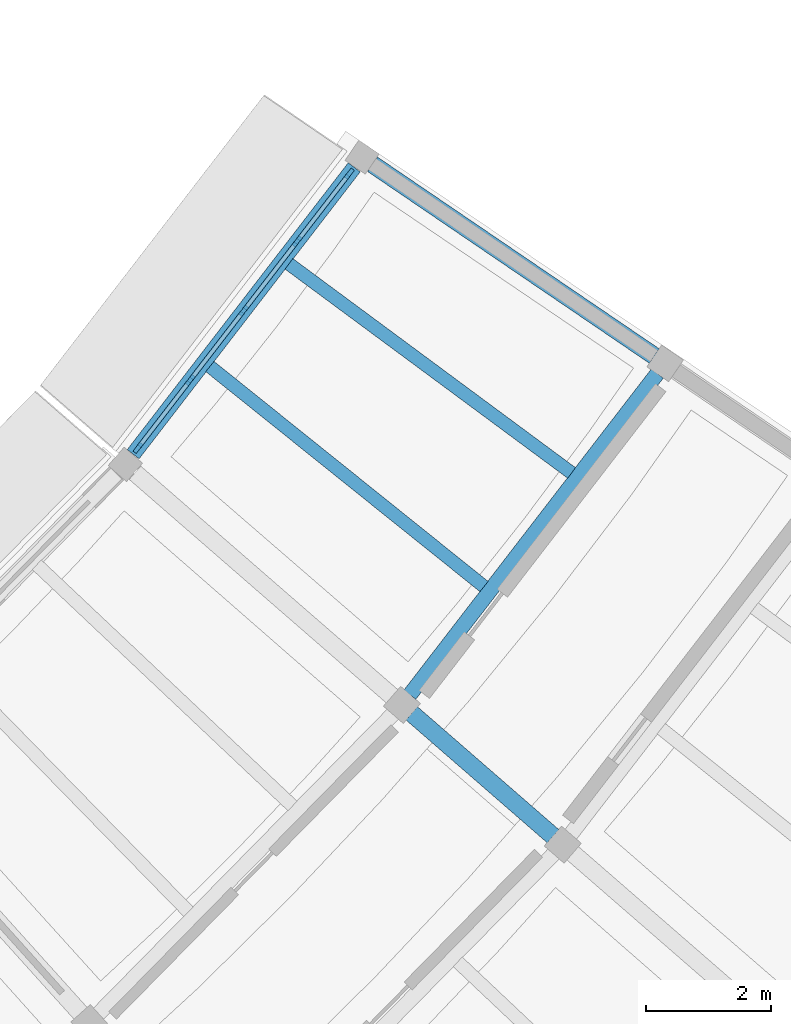
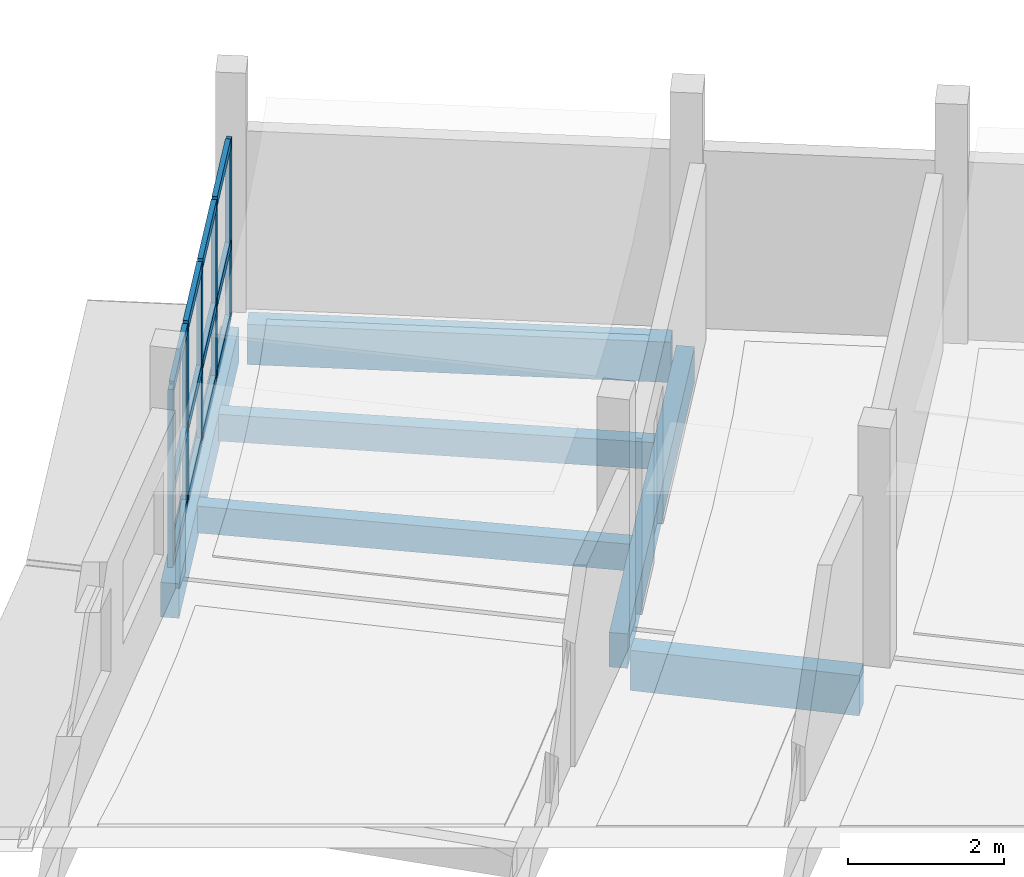
# One storey, part 32 of 77: 17 members, 6 beams, 1 element without a shape of its own.
"""IFC4 building model written with IfcOpenShell, lengths in metres."""

from ifc_helpers import new_model, si_unit, direction, frame, origin, origin_2d, place, context, subcontext, project, spatial, rectangle, extrude, material, layer, layer_set, material_profile, profile_set, type_object, element, aggregate, save


model = new_model("IFC4")

# Units and contexts
model_context = context("Model", 3, precision=1e-05, world=origin(), true_north=direction((0.0, 1.0)))
body_context = subcontext(model_context, "Body", "Model", "MODEL_VIEW")
ifc_project = project(units=[si_unit("LENGTHUNIT", "METRE"), si_unit("AREAUNIT", "SQUARE_METRE"), si_unit("VOLUMEUNIT", "CUBIC_METRE"), si_unit("PLANEANGLEUNIT", "RADIAN"), si_unit("MASSUNIT", "GRAM", prefix="KILO")], contexts=[model_context])

# Site, building, storey
site_placement = place(None, origin())
site = spatial("IfcSite", under=ifc_project, at=site_placement, CompositionType="ELEMENT")
building_placement = place(site_placement, origin())
building = spatial("IfcBuilding", under=site, at=building_placement, Name="Caldaven Crescent School", CompositionType="ELEMENT")
storey_placement = place(building_placement, frame((0.0, 0.0, 4.419921875)))
storey = spatial("IfcBuildingStorey", under=building, at=storey_placement, Name="L01", CompositionType="ELEMENT", Elevation=4.419921875)

# Beams
ifc_material_1 = material(Name="Glulam MLE24h (GL28h)", Category="wood")
ifc_material_profile_1 = material_profile(ifc_material_1, rectangle(XDim=0.239990234375, YDim=0.5400390625, at=origin_2d()), Name="MLE 240x540")
ifc_profile_set_1 = profile_set([ifc_material_profile_1], Name="Glulam MLE24h (GL28h)")
beam_type_1 = type_object("IfcBeamType", Name="BM-GL54", PredefinedType="BEAM", material=ifc_profile_set_1)
beam_1_placement = place(storey_placement, frame((132.124755859375, 57.9140625, -0.489990234375), z_axis=(0.610376182502, 0.792111681415, 0.0), x_axis=(-0.792111681415, 0.610376182502, 0.0)))
element("IfcBeam", 1, at=beam_1_placement, inside=storey, type_object=beam_type_1, Name="BMT-V4E-L01-1127", PredefinedType="BEAM", context=body_context, shape_type="SweptSolid", body=[
    extrude(rectangle(XDim=0.239990234375, YDim=0.5400390625, at=origin_2d()), origin(), (0.0, 0.0, 1.0), 6.4697265625),
])
ifc_material_profile_2 = material_profile(ifc_material_1, rectangle(XDim=0.280029296875, YDim=0.6298828125, at=origin_2d()), Name="MLE 280x630")
ifc_profile_set_2 = profile_set([ifc_material_profile_2], Name="Glulam MLE24h (GL28h)")
beam_type_2 = type_object("IfcBeamType", Name="BM-GL63", PredefinedType="BEAM", material=ifc_profile_set_2)
beam_2_placement = place(storey_placement, frame((132.154296875, 57.6171875, -0.534912109375), z_axis=(0.754742623795, -0.656021014775, 0.0), x_axis=(0.656021014775, 0.754742623795, 0.0)))
element("IfcBeam", 2, at=beam_2_placement, inside=storey, type_object=beam_type_2, Name="BMR-V4E-L01-1087", PredefinedType="BEAM", context=body_context, shape_type="SweptSolid", body=[
    extrude(rectangle(XDim=0.280029296875, YDim=0.6298828125, at=origin_2d()), origin(), (0.0, 0.0, 1.0), 2.989990234375),
])
beam_3_placement = place(storey_placement, frame((131.531982421875, 66.376953125, -0.534912109375), z_axis=(0.826744481423, -0.562577605702, 0.0), x_axis=(0.562577605702, 0.826744481423, 0.0)))
element("IfcBeam", 3, at=beam_3_placement, inside=storey, type_object=beam_type_2, Name="BMR-V4E-L01-1090", PredefinedType="BEAM", context=body_context, shape_type="SweptSolid", body=[
    extrude(rectangle(XDim=0.280029296875, YDim=0.6298828125, at=origin_2d()), origin(), (0.0, 0.0, 1.0), 5.439697265625),
])

# Curtain wall, members
ifc_material_2 = material(Name="Anodised aluminium AA 6063-T6 and low-E double glazing", Category="aluminium")
ifc_layer = layer(ifc_material_2, 0.169921875)
ifc_layer_set = layer_set([ifc_layer], Name="Anodised aluminium AA 6063-T6 and low-E double glazing")
curtain_wall_type = type_object("IfcCurtainWallType", Name="CW-SYS1", PredefinedType="NOTDEFINED", material=ifc_layer_set)
curtain_wall_placement = place(storey_placement, origin())
curtain_wall = element("IfcCurtainWall", 4, at=curtain_wall_placement, inside=storey, type_object=curtain_wall_type, Name="CW-L01-134", PredefinedType="NOTDEFINED")
ifc_material_3 = material(Name="Anodised aluminium AA 6063-T6", Category="aluminium")
ifc_material_profile_3 = material_profile(ifc_material_3, rectangle(XDim=0.06494140625, YDim=0.179931640625, at=origin_2d()), Name="CWM 65x180")
ifc_profile_set_3 = profile_set([ifc_material_profile_3], Name="Anodised aluminium AA 6063-T6")
member_type_1 = type_object("IfcMemberType", Name="CWM-T2", PredefinedType="MULLION", material=ifc_profile_set_3)
member_1_placement = place(storey_placement, frame((127.787353515625, 61.85302734375, 0.0), z_axis=(0.0, 0.0, 1.0), x_axis=(-0.792103400093, 0.610386929383, 0.0)))
member_1 = element("IfcMember", 5, at=member_1_placement, type_object=member_type_1, Name="CW1 mullion 1", PredefinedType="MULLION", context=body_context, shape_type="SweptSolid", body=[
    extrude(rectangle(XDim=0.06494140625, YDim=0.179931640625, at=origin_2d()), origin(), (0.0, 0.0, 1.0), 2.780029296875),
])
member_2_placement = place(storey_placement, frame((128.62060546875, 62.93408203125, 0.0), z_axis=(0.0, 0.0, 1.0), x_axis=(-0.792103400093, 0.610386929383, 0.0)))
member_2 = element("IfcMember", 6, at=member_2_placement, type_object=member_type_1, Name="CW1 mullion 2", PredefinedType="MULLION", context=body_context, shape_type="SweptSolid", body=[
    extrude(rectangle(XDim=0.06494140625, YDim=0.179931640625, at=origin_2d()), origin(), (0.0, 0.0, 1.0), 2.780029296875),
])
member_3_placement = place(storey_placement, frame((129.473388671875, 64.041015625, 0.0), z_axis=(0.0, 0.0, 1.0), x_axis=(-0.792103400093, 0.610386929383, 0.0)))
member_3 = element("IfcMember", 7, at=member_3_placement, type_object=member_type_1, Name="CW1 mullion 3", PredefinedType="MULLION", context=body_context, shape_type="SweptSolid", body=[
    extrude(rectangle(XDim=0.06494140625, YDim=0.179931640625, at=origin_2d()), origin(), (0.0, 0.0, 1.0), 2.780029296875),
])
member_4_placement = place(storey_placement, frame((130.326416015625, 65.14794921875, 0.0), z_axis=(0.0, 0.0, 1.0), x_axis=(-0.792103400093, 0.610386929383, 0.0)))
member_4 = element("IfcMember", 8, at=member_4_placement, type_object=member_type_1, Name="CW1 mullion 4", PredefinedType="MULLION", context=body_context, shape_type="SweptSolid", body=[
    extrude(rectangle(XDim=0.06494140625, YDim=0.179931640625, at=origin_2d()), origin(), (0.0, 0.0, 1.0), 2.780029296875),
])
member_5_placement = place(storey_placement, frame((131.159423828125, 66.22900390625, 0.0), z_axis=(0.0, 0.0, 1.0), x_axis=(-0.792103400093, 0.610386929383, 0.0)))
member_5 = element("IfcMember", 9, at=member_5_placement, type_object=member_type_1, Name="CW1 mullion 5", PredefinedType="MULLION", context=body_context, shape_type="SweptSolid", body=[
    extrude(rectangle(XDim=0.06494140625, YDim=0.179931640625, at=origin_2d()), origin(), (0.0, 0.0, 1.0), 2.780029296875),
])
ifc_material_profile_4 = material_profile(ifc_material_3, rectangle(XDim=0.070068359375, YDim=0.159912109375, at=origin_2d()), Name="CWT 70x160")
ifc_profile_set_4 = profile_set([ifc_material_profile_4], Name="Anodised aluminium AA 6063-T6")
member_type_2 = type_object("IfcMemberType", Name="CWT-T3", PredefinedType="USERDEFINED", material=ifc_profile_set_4)
member_6_placement = place(storey_placement, frame((127.807373046875, 61.87890625, 0.03515625), z_axis=(0.610436674992, 0.792065064136, 0.0), x_axis=(-0.792065064136, 0.610436674992, 0.0)))
member_6 = element("IfcMember", 10, at=member_6_placement, type_object=member_type_2, Name="CW1 transom 1.1", ObjectType="TRANSOM", PredefinedType="USERDEFINED", context=body_context, shape_type="SweptSolid", body=[
    extrude(rectangle(XDim=0.070068359375, YDim=0.159912109375, at=origin_2d()), origin(), (0.0, 0.0, 1.0), 1.2998046875),
])
member_7_placement = place(storey_placement, frame((127.807373046875, 61.87890625, 1.16796875), z_axis=(0.610436674992, 0.792065064136, 0.0), x_axis=(-0.792065064136, 0.610436674992, 0.0)))
member_7 = element("IfcMember", 11, at=member_7_placement, type_object=member_type_2, Name="CW1 transom 1.2", ObjectType="TRANSOM", PredefinedType="USERDEFINED", context=body_context, shape_type="SweptSolid", body=[
    extrude(rectangle(XDim=0.070068359375, YDim=0.159912109375, at=origin_2d()), origin(), (0.0, 0.0, 1.0), 1.2998046875),
])
member_8_placement = place(storey_placement, frame((127.807373046875, 61.87890625, 2.7451171875), z_axis=(0.610436674992, 0.792065064136, 0.0), x_axis=(-0.792065064136, 0.610436674992, 0.0)))
member_8 = element("IfcMember", 12, at=member_8_placement, type_object=member_type_2, Name="CW1 transom 1.3", ObjectType="TRANSOM", PredefinedType="USERDEFINED", context=body_context, shape_type="SweptSolid", body=[
    extrude(rectangle(XDim=0.070068359375, YDim=0.159912109375, at=origin_2d()), origin(), (0.0, 0.0, 1.0), 1.2998046875),
])
member_9_placement = place(storey_placement, frame((128.640380859375, 62.9599609375, 0.03515625), z_axis=(0.610356990638, 0.792126469687, 0.0), x_axis=(-0.792126469687, 0.610356990638, 0.0)))
member_9 = element("IfcMember", 13, at=member_9_placement, type_object=member_type_2, Name="CW1 transom 2.1", ObjectType="TRANSOM", PredefinedType="USERDEFINED", context=body_context, shape_type="SweptSolid", body=[
    extrude(rectangle(XDim=0.070068359375, YDim=0.159912109375, at=origin_2d()), origin(), (0.0, 0.0, 1.0), 1.332275390625),
])
member_10_placement = place(storey_placement, frame((128.640380859375, 62.9599609375, 1.16796875), z_axis=(0.610356990638, 0.792126469687, 0.0), x_axis=(-0.792126469687, 0.610356990638, 0.0)))
member_10 = element("IfcMember", 14, at=member_10_placement, type_object=member_type_2, Name="CW1 transom 2.2", ObjectType="TRANSOM", PredefinedType="USERDEFINED", context=body_context, shape_type="SweptSolid", body=[
    extrude(rectangle(XDim=0.070068359375, YDim=0.159912109375, at=origin_2d()), origin(), (0.0, 0.0, 1.0), 1.332275390625),
])
member_11_placement = place(storey_placement, frame((128.640380859375, 62.9599609375, 2.7451171875), z_axis=(0.610356990638, 0.792126469687, 0.0), x_axis=(-0.792126469687, 0.610356990638, 0.0)))
member_11 = element("IfcMember", 15, at=member_11_placement, type_object=member_type_2, Name="CW1 transom 2.3", ObjectType="TRANSOM", PredefinedType="USERDEFINED", context=body_context, shape_type="SweptSolid", body=[
    extrude(rectangle(XDim=0.070068359375, YDim=0.159912109375, at=origin_2d()), origin(), (0.0, 0.0, 1.0), 1.332275390625),
])
member_12_placement = place(storey_placement, frame((129.493408203125, 64.06689453125, 0.03515625), z_axis=(0.610445590299, 0.792058193117, 0.0), x_axis=(-0.792058193117, 0.610445590299, 0.0)))
member_12 = element("IfcMember", 16, at=member_12_placement, type_object=member_type_2, Name="CW1 transom 3.1", ObjectType="TRANSOM", PredefinedType="USERDEFINED", context=body_context, shape_type="SweptSolid", body=[
    extrude(rectangle(XDim=0.070068359375, YDim=0.159912109375, at=origin_2d()), origin(), (0.0, 0.0, 1.0), 1.332275390625),
])
member_13_placement = place(storey_placement, frame((129.493408203125, 64.06689453125, 1.16796875), z_axis=(0.610445590299, 0.792058193117, 0.0), x_axis=(-0.792058193117, 0.610445590299, 0.0)))
member_13 = element("IfcMember", 17, at=member_13_placement, type_object=member_type_2, Name="CW1 transom 3.2", ObjectType="TRANSOM", PredefinedType="USERDEFINED", context=body_context, shape_type="SweptSolid", body=[
    extrude(rectangle(XDim=0.070068359375, YDim=0.159912109375, at=origin_2d()), origin(), (0.0, 0.0, 1.0), 1.332275390625),
])
member_14_placement = place(storey_placement, frame((129.493408203125, 64.06689453125, 2.7451171875), z_axis=(0.610445590299, 0.792058193117, 0.0), x_axis=(-0.792058193117, 0.610445590299, 0.0)))
member_14 = element("IfcMember", 18, at=member_14_placement, type_object=member_type_2, Name="CW1 transom 3.3", ObjectType="TRANSOM", PredefinedType="USERDEFINED", context=body_context, shape_type="SweptSolid", body=[
    extrude(rectangle(XDim=0.070068359375, YDim=0.159912109375, at=origin_2d()), origin(), (0.0, 0.0, 1.0), 1.332275390625),
])
member_15_placement = place(storey_placement, frame((130.34619140625, 65.173583984375, 0.03515625), z_axis=(0.61034586925, 0.792135038923, 0.0), x_axis=(-0.792135038923, 0.61034586925, 0.0)))
member_15 = element("IfcMember", 19, at=member_15_placement, type_object=member_type_2, Name="CW1 transom 4.1", ObjectType="TRANSOM", PredefinedType="USERDEFINED", context=body_context, shape_type="SweptSolid", body=[
    extrude(rectangle(XDim=0.070068359375, YDim=0.159912109375, at=origin_2d()), origin(), (0.0, 0.0, 1.0), 1.300048828125),
])
member_16_placement = place(storey_placement, frame((130.34619140625, 65.173583984375, 1.16796875), z_axis=(0.61034586925, 0.792135038923, 0.0), x_axis=(-0.792135038923, 0.61034586925, 0.0)))
member_16 = element("IfcMember", 20, at=member_16_placement, type_object=member_type_2, Name="CW1 transom 4.2", ObjectType="TRANSOM", PredefinedType="USERDEFINED", context=body_context, shape_type="SweptSolid", body=[
    extrude(rectangle(XDim=0.070068359375, YDim=0.159912109375, at=origin_2d()), origin(), (0.0, 0.0, 1.0), 1.300048828125),
])
member_17_placement = place(storey_placement, frame((130.34619140625, 65.173583984375, 2.7451171875), z_axis=(0.61034586925, 0.792135038923, 0.0), x_axis=(-0.792135038923, 0.61034586925, 0.0)))
member_17 = element("IfcMember", 21, at=member_17_placement, type_object=member_type_2, Name="CW1 transom 4.3", ObjectType="TRANSOM", PredefinedType="USERDEFINED", context=body_context, shape_type="SweptSolid", body=[
    extrude(rectangle(XDim=0.070068359375, YDim=0.159912109375, at=origin_2d()), origin(), (0.0, 0.0, 1.0), 1.300048828125),
])
aggregate(curtain_wall, [member_1, member_2, member_3, member_4, member_5, member_6, member_7, member_8, member_9, member_10, member_11, member_12, member_13, member_14, member_15, member_16, member_17])

# Beams
ifc_material_profile_5 = material_profile(ifc_material_1, rectangle(XDim=0.2099609375, YDim=0.419921875, at=origin_2d()), Name="MLE 210x420")
ifc_profile_set_5 = profile_set([ifc_material_profile_5], Name="Glulam MLE24h (GL28h)")
beam_type_3 = type_object("IfcBeamType", Name="JS-GL42", PredefinedType="JOIST", material=ifc_profile_set_5)
for number, where, z_axis, x_axis, name in (
    (22, (128.93359375, 63.15185546875, -0.429931640625), (0.779916998743, -0.625882956367, 0.0), (0.625882956367, 0.779916998743, 0.0), "JSR-V4E-L01-1131"),
    (23, (130.195556640625, 64.789794921875, -0.429931640625), (0.803966298861, -0.594674860991, 0.0), (0.594674860991, 0.803966298861, 0.0), "JSR-V4E-L01-1133"),
):
    element("IfcBeam", number, at=place(storey_placement, frame(where, z_axis=z_axis, x_axis=x_axis)), inside=storey, type_object=beam_type_3, Name=name, PredefinedType="JOIST", context=body_context, shape_type="SweptSolid", body=[
        extrude(rectangle(XDim=0.2099609375, YDim=0.419921875, at=origin_2d()), origin(), (0.0, 0.0, 1.0), 5.61083984375),
    ])
ifc_material_profile_6 = material_profile(ifc_material_1, rectangle(XDim=0.239990234375, YDim=0.5400390625, at=origin_2d()), Name="MLE 240x540")
ifc_profile_set_6 = profile_set([ifc_material_profile_6], Name="Glulam MLE24h (GL28h)")
beam_type_4 = type_object("IfcBeamType", Name="SP-GL54", PredefinedType="SPANDREL", material=ifc_profile_set_6)
beam_4_placement = place(storey_placement, frame((127.709716796875, 61.752197265625, -0.489990234375), z_axis=(0.610378119485, 0.792110188834, 0.0), x_axis=(-0.792110188834, 0.610378119485, 0.0)))
element("IfcBeam", 24, at=beam_4_placement, inside=storey, type_object=beam_type_4, Name="BMT-V4E-L01-1126", PredefinedType="SPANDREL", context=body_context, shape_type="SweptSolid", body=[
    extrude(rectangle(XDim=0.239990234375, YDim=0.5400390625, at=origin_2d()), origin(), (0.0, 0.0, 1.0), 5.779296875),
])

save(model, "model.ifc")
